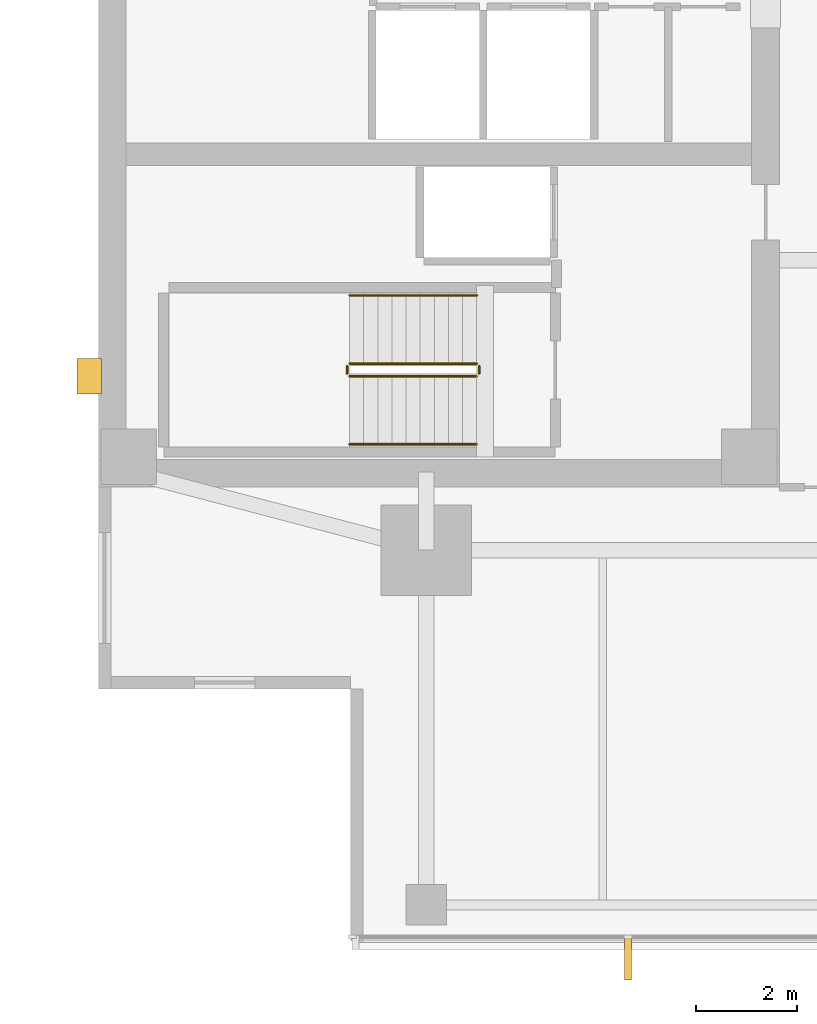
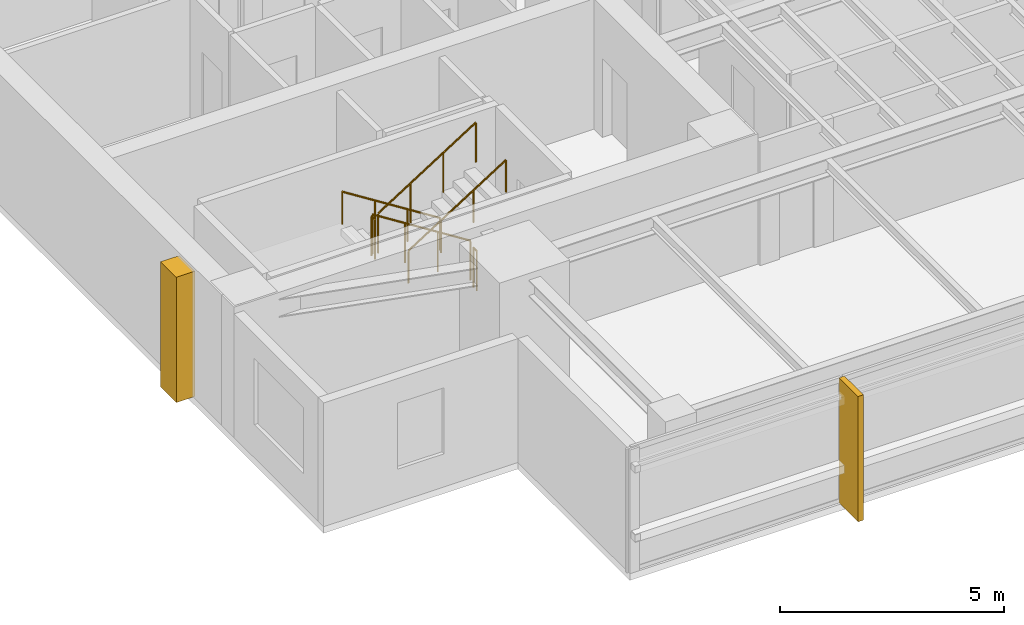
# One storey, part 11 of 14: 6 railings, 2 coverings.
"""IFC4 building model written with IfcOpenShell, lengths in metres."""

from ifc_helpers import new_model, si_unit, direction, frame, origin, origin_2d, place, context, subcontext, project, spatial, polyline, circle, outline, extrude, material, layer, layer_set, type_object, element, save


model = new_model("IFC4")

# Units and contexts
model_context = context("Model", 3, precision=1e-05, world=origin(), true_north=direction((0.0, 1.0)))
body_context = subcontext(model_context, "Body", "Model", "MODEL_VIEW")
ifc_project = project(units=[si_unit("LENGTHUNIT", "METRE"), si_unit("AREAUNIT", "SQUARE_METRE"), si_unit("VOLUMEUNIT", "CUBIC_METRE"), si_unit("PLANEANGLEUNIT", "RADIAN"), si_unit("MASSUNIT", "GRAM", prefix="KILO")], contexts=[model_context])

# Site, building, storey
site_placement = place(None, origin())
site = spatial("IfcSite", under=ifc_project, at=site_placement, CompositionType="ELEMENT")
building_placement = place(site_placement, origin())
building = spatial("IfcBuilding", under=site, at=building_placement, Name="Kinhvarn Gate Tower", CompositionType="ELEMENT")
storey_placement = place(building_placement, frame((0.0, 0.0, 227.10009765625)))
storey = spatial("IfcBuildingStorey", under=building, at=storey_placement, Name="L60", CompositionType="ELEMENT", Elevation=227.10009765625)

# Coverings
ifc_material_1 = material(Name="Fired architectural terracotta", Category="masonry")
ifc_layer_1 = layer(ifc_material_1, 0.139892578125)
ifc_layer_set_1 = layer_set([ifc_layer_1], Name="Fired architectural terracotta")
covering_type_1 = type_object("IfcCoveringType", Name="COV-FIN-850", PredefinedType="CLADDING", material=ifc_layer_set_1)
covering_1_placement = place(storey_placement, frame((0.0, 0.0, -0.02001953125)))
element("IfcCovering", 1, at=covering_1_placement, inside=storey, type_object=covering_type_1, Name="Vertical Terracotta Expressive Fin TFN-850 (L60)", PredefinedType="CLADDING", context=body_context, shape_type="SweptSolid", body=[
    extrude(outline(polyline([(14.929931640625, 5.080078125), (15.070068359375, 5.080078125), (15.070068359375, 4.22998046875), (14.929931640625, 4.22998046875), (14.929931640625, 5.080078125)])), origin(), (0.0, 0.0, 1.0), 3.409912109375),
])
ifc_material_2 = material(Name="Precast white architectural concrete C40/50", Category="concrete")
ifc_layer_2 = layer(ifc_material_2, 0.47998046875)
ifc_layer_set_2 = layer_set([ifc_layer_2], Name="Precast white architectural concrete C40/50")
covering_type_2 = type_object("IfcCoveringType", Name="COV-RIB-450", PredefinedType="CLADDING", material=ifc_layer_set_2)
covering_2_placement = place(storey_placement, frame((0.0, 0.0, -0.02001953125)))
element("IfcCovering", 2, at=covering_2_placement, inside=storey, type_object=covering_type_2, Name="West Core Sculptural Concrete Relief Rib CRB-450 (L60)", PredefinedType="CLADDING", context=body_context, shape_type="SweptSolid", body=[
    extrude(outline(polyline([(4.080078125, 15.85009765625), (4.56005859375, 15.85009765625), (4.56005859375, 16.550048828125), (4.080078125, 16.550048828125), (4.080078125, 15.85009765625)])), origin(), (0.0, 0.0, 1.0), 3.409912109375),
])

# Railings
ifc_material_3 = material(Name="Steel S355", Category="steel")
railing_type_1 = type_object("IfcRailingType", Name="RL-ST-GRD", PredefinedType="BALUSTRADE", material=ifc_material_3)
railing_1_placement = place(storey_placement, frame((12.0, 16.449951171875, 0.177490234375)))
element("IfcRailing", 3, at=railing_1_placement, inside=storey, type_object=railing_type_1, Name="L60 ST1 stair guard 1", PredefinedType="BALUSTRADE", context=body_context, shape_type="SweptSolid", body=[
    extrude(circle(Radius=0.02392578125, at=origin_2d()), frame((0.0, 0.0, 1.076171875), z_axis=(-0.84460694969, 0.0, 0.535386869969), x_axis=(0.0, -1.0, 0.0)), (0.0, 0.0, 1.0), 2.983642578125),
    extrude(circle(Radius=0.02099609375, at=origin_2d()), origin(), (0.0, 0.0, 1.0), 1.052001953125),
    extrude(circle(Radius=0.02099609375, at=origin_2d()), frame((-0.840087890625, 0.0, 0.532470703125)), (0.0, 0.0, 1.0), 1.052001953125),
    extrude(circle(Radius=0.02099609375, at=origin_2d()), frame((-1.679931640625, 0.0, 1.06494140625)), (0.0, 0.0, 1.0), 1.052001953125),
    extrude(circle(Radius=0.02099609375, at=origin_2d()), frame((-2.52001953125, 0.0, 1.597412109375)), (0.0, 0.0, 1.0), 1.052001953125),
])
railing_2_placement = place(storey_placement, frame((9.429931640625, 16.39990234375, 1.77490234375)))
element("IfcRailing", 4, at=railing_2_placement, inside=storey, type_object=railing_type_1, Name="L60 ST1 stair guard 2", PredefinedType="BALUSTRADE", context=body_context, shape_type="SweptSolid", body=[
    extrude(circle(Radius=0.02392578125, at=origin_2d()), frame((0.0, 0.0, 1.076171875), z_axis=(0.0, -1.0, 0.0), x_axis=(1.0, 0.0, 0.0)), (0.0, 0.0, 1.0), 0.14990234375),
    extrude(circle(Radius=0.02099609375, at=origin_2d()), origin(), (0.0, 0.0, 1.0), 1.052001953125),
    extrude(circle(Radius=0.02099609375, at=origin_2d()), frame((0.0, -0.14990234375, 0.0)), (0.0, 0.0, 1.0), 1.052001953125),
])
railing_3_placement = place(storey_placement, frame((9.47998046875, 16.199951171875, 1.952392578125)))
element("IfcRailing", 5, at=railing_3_placement, inside=storey, type_object=railing_type_1, Name="L60 ST1 stair guard 3", PredefinedType="BALUSTRADE", context=body_context, shape_type="SweptSolid", body=[
    extrude(circle(Radius=0.02392578125, at=origin_2d()), frame((0.0, 0.0, 1.076171875), z_axis=(0.84460694969, 0.0, 0.535386869969), x_axis=(0.0, 1.0, 0.0)), (0.0, 0.0, 1.0), 2.983642578125),
    extrude(circle(Radius=0.02099609375, at=origin_2d()), origin(), (0.0, 0.0, 1.0), 1.052001953125),
    extrude(circle(Radius=0.02099609375, at=origin_2d()), frame((0.840087890625, 0.0, 0.532470703125)), (0.0, 0.0, 1.0), 1.052001953125),
    extrude(circle(Radius=0.02099609375, at=origin_2d()), frame((1.679931640625, 0.0, 1.06494140625)), (0.0, 0.0, 1.0), 1.052001953125),
    extrude(circle(Radius=0.02099609375, at=origin_2d()), frame((2.52001953125, 0.0, 1.597412109375)), (0.0, 0.0, 1.0), 1.052001953125),
])
railing_4_placement = place(storey_placement, frame((12.050048828125, 16.39990234375, 0.0)))
element("IfcRailing", 6, at=railing_4_placement, inside=storey, type_object=railing_type_1, Name="L60 ST1 stair guard 4", PredefinedType="BALUSTRADE", context=body_context, shape_type="SweptSolid", body=[
    extrude(circle(Radius=0.02392578125, at=origin_2d()), frame((0.0, 0.0, 1.076171875), z_axis=(0.0, -1.0, 0.0), x_axis=(1.0, 0.0, 0.0)), (0.0, 0.0, 1.0), 0.14990234375),
    extrude(circle(Radius=0.02099609375, at=origin_2d()), origin(), (0.0, 0.0, 1.0), 1.052001953125),
    extrude(circle(Radius=0.02099609375, at=origin_2d()), frame((0.0, -0.14990234375, 0.0)), (0.0, 0.0, 1.0), 1.052001953125),
])
railing_type_2 = type_object("IfcRailingType", Name="RL-ST-HND", PredefinedType="HANDRAIL", material=ifc_material_3)
railing_5_placement = place(storey_placement, frame((12.0, 17.800048828125, 0.177490234375)))
element("IfcRailing", 7, at=railing_5_placement, inside=storey, type_object=railing_type_2, Name="L60 ST1 stair handrail 1", PredefinedType="HANDRAIL", context=body_context, shape_type="SweptSolid", body=[
    extrude(circle(Radius=0.02392578125, at=origin_2d()), frame((0.0, 0.0, 0.8759765625), z_axis=(-0.84460694969, 0.0, 0.535386869969), x_axis=(0.0, -1.0, 0.0)), (0.0, 0.0, 1.0), 2.983642578125),
    extrude(circle(Radius=0.02099609375, at=origin_2d()), origin(), (0.0, 0.0, 1.0), 0.851806640625),
    extrude(circle(Radius=0.02099609375, at=origin_2d()), frame((-0.840087890625, 0.0, 0.532470703125)), (0.0, 0.0, 1.0), 0.851806640625),
    extrude(circle(Radius=0.02099609375, at=origin_2d()), frame((-1.679931640625, 0.0, 1.06494140625)), (0.0, 0.0, 1.0), 0.851806640625),
    extrude(circle(Radius=0.02099609375, at=origin_2d()), frame((-2.52001953125, 0.0, 1.597412109375)), (0.0, 0.0, 1.0), 0.851806640625),
])
railing_6_placement = place(storey_placement, frame((9.47998046875, 14.85009765625, 1.952392578125)))
element("IfcRailing", 8, at=railing_6_placement, inside=storey, type_object=railing_type_2, Name="L60 ST1 stair handrail 2", PredefinedType="HANDRAIL", context=body_context, shape_type="SweptSolid", body=[
    extrude(circle(Radius=0.02392578125, at=origin_2d()), frame((0.0, 0.0, 0.8759765625), z_axis=(0.84460694969, 0.0, 0.535386869969), x_axis=(0.0, 1.0, 0.0)), (0.0, 0.0, 1.0), 2.983642578125),
    extrude(circle(Radius=0.02099609375, at=origin_2d()), origin(), (0.0, 0.0, 1.0), 0.851806640625),
    extrude(circle(Radius=0.02099609375, at=origin_2d()), frame((0.840087890625, 0.0, 0.532470703125)), (0.0, 0.0, 1.0), 0.851806640625),
    extrude(circle(Radius=0.02099609375, at=origin_2d()), frame((1.679931640625, 0.0, 1.06494140625)), (0.0, 0.0, 1.0), 0.851806640625),
    extrude(circle(Radius=0.02099609375, at=origin_2d()), frame((2.52001953125, 0.0, 1.597412109375)), (0.0, 0.0, 1.0), 0.851806640625),
])

save(model, "model.ifc")
